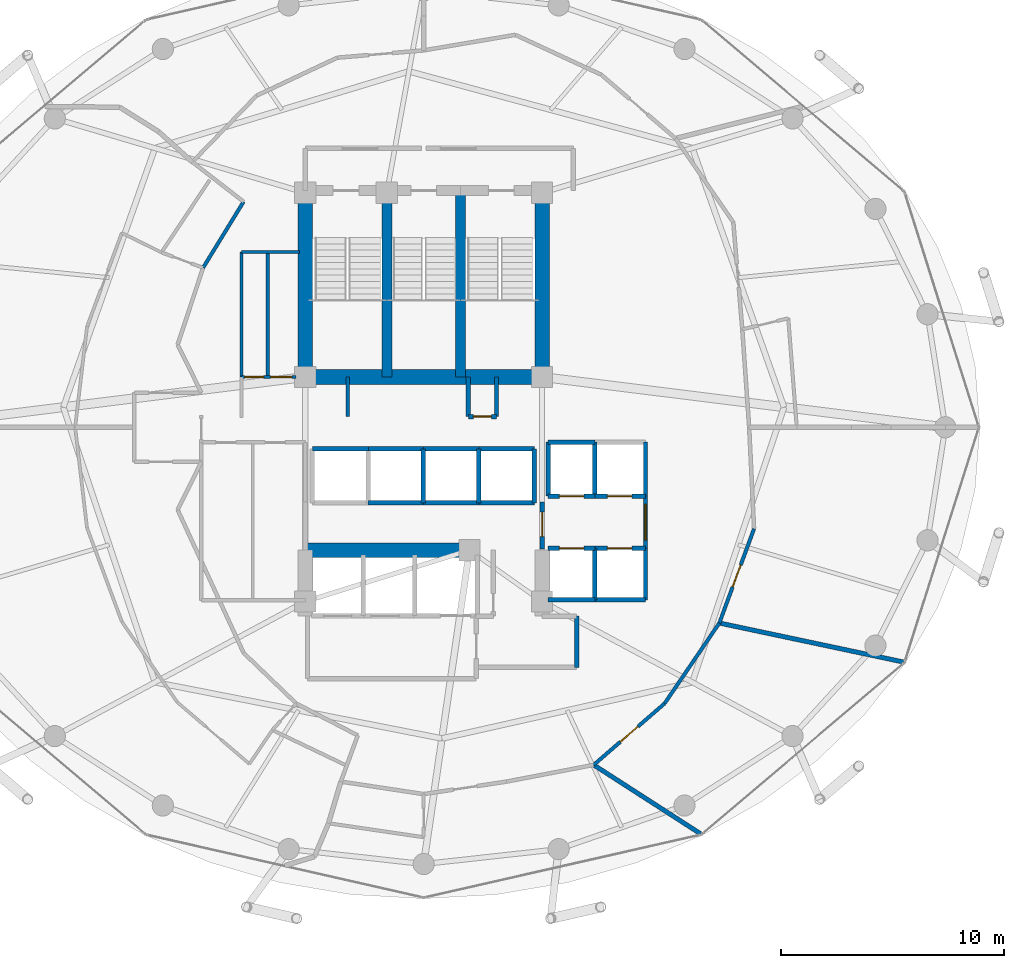
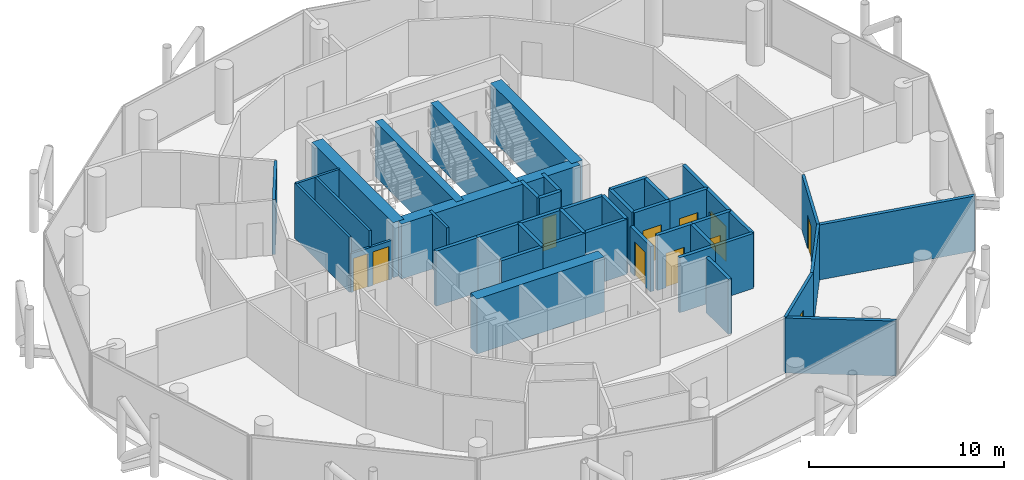
# One storey, part 23 of 26: 45 walls, 11 doors, 11 openings.
"""IFC4 building model written with IfcOpenShell, lengths in metres."""

from ifc_helpers import new_model, si_unit, direction, frame, frame_2d, origin, place, context, subcontext, project, spatial, rectangle, extrude, material, layer, layer_set, type_object, element, fill, save


model = new_model("IFC4")

# Units and contexts
model_context = context("Model", 3, precision=1e-05, world=origin(), true_north=direction((0.0, 1.0)))
body_context = subcontext(model_context, "Body", "Model", "MODEL_VIEW")
ifc_project = project(units=[si_unit("LENGTHUNIT", "METRE"), si_unit("AREAUNIT", "SQUARE_METRE"), si_unit("VOLUMEUNIT", "CUBIC_METRE"), si_unit("PLANEANGLEUNIT", "RADIAN"), si_unit("MASSUNIT", "GRAM", prefix="KILO")], contexts=[model_context])

# Site, building, storey
site_placement = place(None, origin())
site = spatial("IfcSite", under=ifc_project, at=site_placement, CompositionType="ELEMENT")
building_placement = place(site_placement, origin())
building = spatial("IfcBuilding", under=site, at=building_placement, Name="Nuhasar Tower", CompositionType="ELEMENT")
storey_placement = place(building_placement, frame((0.0, 0.0, 177.449951171875)))
storey = spatial("IfcBuildingStorey", under=building, at=storey_placement, Name="L43", CompositionType="ELEMENT", Elevation=177.449951171875)

# Walls
ifc_material_1 = material(Name="Concrete C50/60", Category="concrete")
ifc_layer_1 = layer(ifc_material_1, 0.449951171875)
ifc_layer_set_1 = layer_set([ifc_layer_1], Name="Concrete C50/60")
wall_type_1 = type_object("IfcWallType", Name="WL-CORE-450", PredefinedType="SHEAR", material=ifc_layer_set_1)
for number, where, z_axis, x_axis, name in (
    (1, (37.35009765625, 29.050048828125, 0.0), (0.0, 0.0, 1.0), (0.0, 1.0, 0.0), "L43 Stairwell Shear Wall ST01-E"),
    (2, (40.64990234375, 29.050048828125, 0.0), (0.0, 0.0, 1.0), (0.0, 1.0, 0.0), "L43 Stairwell Shear Wall ST03-E"),
):
    element("IfcWall", number, at=place(storey_placement, frame(where, z_axis=z_axis, x_axis=x_axis)), inside=storey, type_object=wall_type_1, Name=name, PredefinedType="SHEAR", context=body_context, shape_type="SweptSolid", body=[
        extrude(rectangle(XDim=8.349853515625, YDim=0.449951171875, at=frame_2d((4.1748046875, 0.0))), origin(), (0.0, 0.0, 1.0), 3.449951171875),
    ])
ifc_material_2 = material(Name="Concrete C65/80", Category="concrete")
ifc_layer_2 = layer(ifc_material_2, 0.64990234375)
ifc_layer_set_2 = layer_set([ifc_layer_2], Name="Concrete C65/80")
wall_type_2 = type_object("IfcWallType", Name="WL-CORE-650", PredefinedType="SHEAR", material=ifc_layer_set_2)
for number, where, z_axis, x_axis, name in (
    (3, (33.699951171875, 29.050048828125, 0.0), (0.0, 0.0, 1.0), (0.0, 1.0, 0.0), "L43 Core Shear Wall CW-NW CW-650"),
    (4, (44.300048828125, 29.050048828125, 0.0), (0.0, 0.0, 1.0), (0.0, 1.0, 0.0), "L43 Core Shear Wall CW-NE CW-650"),
):
    element("IfcWall", number, at=place(storey_placement, frame(where, z_axis=z_axis, x_axis=x_axis)), inside=storey, type_object=wall_type_2, Name=name, PredefinedType="SHEAR", context=body_context, shape_type="SweptSolid", body=[
        extrude(rectangle(XDim=8.349853515625, YDim=0.64990234375, at=frame_2d((4.1748046875, 0.0))), origin(), (0.0, 0.0, 1.0), 3.449951171875),
    ])
wall_1_placement = place(storey_placement, frame((33.699951171875, 29.050048828125, 0.0), z_axis=(0.0, 0.0, 1.0), x_axis=(1.0, 0.0, 0.0)))
element("IfcWall", 5, at=wall_1_placement, inside=storey, type_object=wall_type_2, Name="L43 Core Shear Wall CW-N1 CW-650", PredefinedType="SHEAR", context=body_context, shape_type="SweptSolid", body=[
    extrude(rectangle(XDim=10.60009765625, YDim=0.64990234375, at=frame_2d((5.300048828125, 0.0))), origin(), (0.0, 0.0, 1.0), 3.449951171875),
])
wall_2_placement = place(storey_placement, frame((33.699951171875, 21.300048828125, 0.0), z_axis=(0.0, 0.0, 1.0), x_axis=(1.0, 0.0, 0.0)))
element("IfcWall", 6, at=wall_2_placement, inside=storey, type_object=wall_type_2, Name="L43 Core Shear Wall CW-S1 CW-650", PredefinedType="SHEAR", context=body_context, shape_type="SweptSolid", body=[
    extrude(rectangle(XDim=7.550048828125, YDim=0.64990234375, at=frame_2d((3.77490234375, 0.0))), origin(), (0.0, 0.0, 1.0), 3.449951171875),
])

# Wall, opening, door
ifc_material_3 = material(Name="Gypsum Board", Category="gypsum")
ifc_layer_3 = layer(ifc_material_3, 0.159912109375)
ifc_layer_set_3 = layer_set([ifc_layer_3], Name="Gypsum Board")
wall_type_3 = type_object("IfcWallType", Name="WL-CORR-160", PredefinedType="PARTITIONING", material=ifc_layer_set_3)
wall_3_placement = place(storey_placement, frame((49.782958984375, 14.43505859375, 0.0), z_axis=(0.0, 0.0, 1.0), x_axis=(-0.755896308725, -0.65469135511, 0.0)))
wall_3 = element("IfcWall", 7, at=wall_3_placement, inside=storey, type_object=wall_type_3, Name="L43 Interior Partition CORR-40", PredefinedType="PARTITIONING", context=body_context, shape_type="SweptSolid", body=[
    extrude(rectangle(XDim=4.197509765625, YDim=0.159912109375, at=frame_2d((2.0986328125, 0.0))), origin(), (0.0, 0.0, 1.0), 3.449951171875),
])
opening_1_placement = place(wall_3_placement, frame((1.573974609375, 0.0, 0.0)))
opening_1 = element("IfcOpeningElement", 8, at=opening_1_placement, cuts=wall_3, Name="Opening DU-01", PredefinedType="OPENING", context=body_context, shape_type="SweptSolid", body=[
    extrude(rectangle(XDim=1.050048828125, YDim=2.14990234375, at=frame_2d((0.52490234375, 1.074951171875))), frame((0.0, 0.08984375, 0.0), z_axis=(0.0, -1.0, 0.0), x_axis=(1.0, 0.0, 0.0)), (0.0, 0.0, 1.0), 0.179931640625),
])
ifc_material_4 = material(Name="Timber Oak", Category="wood")
door_type_1 = type_object("IfcDoorType", Name="DR-SUITE-FD60-1050", OperationType="NOTDEFINED", PredefinedType="DOOR", material=ifc_material_4)
door_1_placement = place(opening_1_placement, origin())
door_1 = element("IfcDoor", 9, at=door_1_placement, inside=storey, type_object=door_type_1, Name="L43 Artisan Gift Boutique Entrance Door", OperationType="SINGLE_SWING_RIGHT", OverallHeight=2.14990234375, OverallWidth=1.050048828125, PredefinedType="DOOR", context=body_context, shape_type="SweptSolid", body=[
    extrude(rectangle(XDim=1.050048828125, YDim=2.14990234375, at=frame_2d((0.52490234375, 1.074951171875))), frame((0.0, 0.02490234375, 0.0), z_axis=(0.0, -1.0, 0.0), x_axis=(1.0, 0.0, 0.0)), (0.0, 0.0, 1.0), 0.050048828125),
])
fill(opening_1, door_1)

# Wall
wall_4_placement = place(storey_placement, frame((49.782958984375, 14.43505859375, 0.0), z_axis=(0.0, 0.0, 1.0), x_axis=(0.562637868463, 0.826703471005, 0.0)))
element("IfcWall", 10, at=wall_4_placement, inside=storey, type_object=wall_type_3, Name="L43 Interior Partition CORR-42", PredefinedType="PARTITIONING", context=body_context, shape_type="SweptSolid", body=[
    extrude(rectangle(XDim=4.3583984375, YDim=0.159912109375, at=frame_2d((2.17919921875, 0.0))), origin(), (0.0, 0.0, 1.0), 3.449951171875),
])

# Wall, opening, door
wall_5_placement = place(storey_placement, frame((53.7880859375, 22.256103515625, 0.0), z_axis=(0.0, 0.0, 1.0), x_axis=(-0.345503984286, -0.938417282898, 0.0)))
wall_5 = element("IfcWall", 11, at=wall_5_placement, inside=storey, type_object=wall_type_3, Name="L43 Interior Partition CORR-44", PredefinedType="PARTITIONING", context=body_context, shape_type="SweptSolid", body=[
    extrude(rectangle(XDim=4.494873046875, YDim=0.159912109375, at=frame_2d((2.24755859375, 0.0))), origin(), (0.0, 0.0, 1.0), 3.449951171875),
])
opening_2_placement = place(wall_5_placement, frame((1.721923828125, 0.0, 0.0)))
opening_2 = element("IfcOpeningElement", 12, at=opening_2_placement, cuts=wall_5, Name="Opening DU-01", PredefinedType="OPENING", context=body_context, shape_type="SweptSolid", body=[
    extrude(rectangle(XDim=1.050048828125, YDim=2.14990234375, at=frame_2d((0.52490234375, 1.074951171875))), frame((0.0, 0.08984375, 0.0), z_axis=(0.0, -1.0, 0.0), x_axis=(1.0, 0.0, 0.0)), (0.0, 0.0, 1.0), 0.179931640625),
])
door_2_placement = place(opening_2_placement, origin())
door_2 = element("IfcDoor", 13, at=door_2_placement, inside=storey, type_object=door_type_1, Name="L43 Red Sea Pearl Showroom Entrance Door", OperationType="SINGLE_SWING_RIGHT", OverallHeight=2.14990234375, OverallWidth=1.050048828125, PredefinedType="DOOR", context=body_context, shape_type="SweptSolid", body=[
    extrude(rectangle(XDim=1.050048828125, YDim=2.14990234375, at=frame_2d((0.52490234375, 1.074951171875))), frame((0.0, 0.02490234375, 0.0), z_axis=(0.0, -1.0, 0.0), x_axis=(1.0, 0.0, 0.0)), (0.0, 0.0, 1.0), 0.050048828125),
])
fill(opening_2, door_2)

# Wall
wall_6_placement = place(storey_placement, frame((30.93896484375, 36.89697265625, 0.0), z_axis=(0.0, 0.0, 1.0), x_axis=(-0.522486120877, -0.852647789823, 0.0)))
element("IfcWall", 14, at=wall_6_placement, inside=storey, type_object=wall_type_3, Name="L43 Interior Partition HWEST-CORE-N-18", PredefinedType="PARTITIONING", context=body_context, shape_type="SweptSolid", body=[
    extrude(rectangle(XDim=3.468017578125, YDim=0.159912109375, at=frame_2d((1.73388671875, 0.0))), origin(), (0.0, 0.0, 1.0), 3.449951171875),
])

# Wall, opening, door
ifc_material_5 = material(Name="Concrete C45/55", Category="concrete")
ifc_layer_4 = layer(ifc_material_5, 0.199951171875)
ifc_layer_set_4 = layer_set([ifc_layer_4], Name="Concrete C45/55")
wall_type_4 = type_object("IfcWallType", Name="WL-LOBBY-200", PredefinedType="SOLIDWALL", material=ifc_layer_set_4)
wall_7_placement = place(storey_placement, frame((48.929931640625, 21.3798828125, 0.0), z_axis=(0.0, 0.0, 1.0), x_axis=(0.0, 1.0, 0.0)))
wall_7 = element("IfcWall", 15, at=wall_7_placement, inside=storey, type_object=wall_type_4, Name="L43 Interior Partition LLBM-E", PredefinedType="SOLIDWALL", context=body_context, shape_type="SweptSolid", body=[
    extrude(rectangle(XDim=2.340087890625, YDim=0.199951171875, at=frame_2d((1.169921875, 0.0))), origin(), (0.0, 0.0, 1.0), 3.449951171875),
])
opening_3_placement = place(wall_7_placement, frame((0.3701171875, 0.0, 0.0)))
opening_3 = element("IfcOpeningElement", 16, at=opening_3_placement, cuts=wall_7, Name="Opening DC-01", PredefinedType="OPENING", context=body_context, shape_type="SweptSolid", body=[
    extrude(rectangle(XDim=1.60009765625, YDim=2.199951171875, at=frame_2d((0.800048828125, 1.10009765625))), frame((0.0, 0.10986328125, 0.0), z_axis=(0.0, -1.0, 0.0), x_axis=(1.0, 0.0, 0.0)), (0.0, 0.0, 1.0), 0.219970703125),
])
ifc_material_6 = material(Name="Steel S355", Category="steel")
door_type_2 = type_object("IfcDoorType", Name="DR-CORR-FD60-1600", OperationType="DOUBLE_DOOR_SINGLE_SWING", PredefinedType="DOOR", material=ifc_material_6)
door_3_placement = place(opening_3_placement, origin())
door_3 = element("IfcDoor", 17, at=door_3_placement, inside=storey, type_object=door_type_2, Name="L43 Mid-Rise Lift Lobby East Entry", OperationType="DOUBLE_DOOR_SINGLE_SWING", OverallHeight=2.199951171875, OverallWidth=1.60009765625, PredefinedType="DOOR", context=body_context, shape_type="SweptSolid", body=[
    extrude(rectangle(XDim=1.60009765625, YDim=2.199951171875, at=frame_2d((0.800048828125, 1.10009765625))), frame((0.0, 0.02490234375, 0.0), z_axis=(0.0, -1.0, 0.0), x_axis=(1.0, 0.0, 0.0)), (0.0, 0.0, 1.0), 0.050048828125),
])
fill(opening_3, door_3)

wall_8_placement = place(storey_placement, frame((44.300048828125, 21.35009765625, 0.0), z_axis=(0.0, 0.0, 1.0), x_axis=(0.0, 1.0, 0.0)))
wall_8 = element("IfcWall", 18, at=wall_8_placement, inside=storey, type_object=wall_type_4, Name="L43 Interior Partition LLBH-E", PredefinedType="SOLIDWALL", context=body_context, shape_type="SweptSolid", body=[
    extrude(rectangle(XDim=2.099853515625, YDim=0.199951171875, at=frame_2d((1.0498046875, 0.0))), origin(), (0.0, 0.0, 1.0), 2.8349609375),
])
opening_4_placement = place(wall_8_placement, frame((0.550048828125, 0.0, 0.0)))
opening_4 = element("IfcOpeningElement", 19, at=opening_4_placement, cuts=wall_8, Name="Opening DS-02", PredefinedType="OPENING", context=body_context, shape_type="SweptSolid", body=[
    extrude(rectangle(XDim=1.10009765625, YDim=2.14990234375, at=frame_2d((0.550048828125, 1.074951171875))), frame((0.0, 0.10986328125, 0.0), z_axis=(0.0, -1.0, 0.0), x_axis=(1.0, 0.0, 0.0)), (0.0, 0.0, 1.0), 0.219970703125),
])
door_type_3 = type_object("IfcDoorType", Name="DR-FFL-FD120-1100", OperationType="NOTDEFINED", PredefinedType="DOOR", material=ifc_material_6)
door_4_placement = place(opening_4_placement, origin())
door_4 = element("IfcDoor", 20, at=door_4_placement, inside=storey, type_object=door_type_3, Name="L43 High-Rise Lobby East Door", OperationType="SINGLE_SWING_RIGHT", OverallHeight=2.14990234375, OverallWidth=1.10009765625, PredefinedType="DOOR", context=body_context, shape_type="SweptSolid", body=[
    extrude(rectangle(XDim=1.10009765625, YDim=2.14990234375, at=frame_2d((0.550048828125, 1.074951171875))), frame((0.0, 0.02490234375, 0.0), z_axis=(0.0, -1.0, 0.0), x_axis=(1.0, 0.0, 0.0)), (0.0, 0.0, 1.0), 0.050048828125),
])
fill(opening_4, door_4)

# Walls
wall_9_placement = place(storey_placement, frame((45.85009765625, 16.050048828125, 0.0), z_axis=(0.0, 0.0, 1.0), x_axis=(0.0, 1.0, 0.0)))
element("IfcWall", 21, at=wall_9_placement, inside=storey, type_object=wall_type_4, Name="L43 Interior Partition SVLV-E", PredefinedType="SOLIDWALL", context=body_context, shape_type="SweptSolid", body=[
    extrude(rectangle(XDim=2.300048828125, YDim=0.199951171875, at=frame_2d((1.14990234375, 0.0))), origin(), (0.0, 0.0, 1.0), 3.449951171875),
])
ifc_layer_5 = layer(ifc_material_5, 0.199951171875)
ifc_layer_set_5 = layer_set([ifc_layer_5], Name="Concrete C45/55")
wall_type_5 = type_object("IfcWallType", Name="WL-SHAFT-200", PredefinedType="SOLIDWALL", material=ifc_layer_set_5)
for number, where, z_axis, x_axis, name in (
    (22, (41.0, 27.280029296875, 0.0), (0.0, 0.0, 1.0), (0.0, 1.0, 0.0), "L43 Interior Partition RSRN-W"),
    (23, (42.260009765625, 27.280029296875, 0.0), (0.0, 0.0, 1.0), (0.0, 1.0, 0.0), "L43 Interior Partition RSRN-E"),
):
    element("IfcWall", number, at=place(storey_placement, frame(where, z_axis=z_axis, x_axis=x_axis)), inside=storey, type_object=wall_type_5, Name=name, PredefinedType="SOLIDWALL", context=body_context, shape_type="SweptSolid", body=[
        extrude(rectangle(XDim=1.77001953125, YDim=0.199951171875, at=frame_2d((0.885009765625, 0.0))), origin(), (0.0, 0.0, 1.0), 3.449951171875),
    ])

# Wall, opening, door
wall_10_placement = place(storey_placement, frame((41.0, 27.280029296875, 0.0), z_axis=(0.0, 0.0, 1.0), x_axis=(1.0, 0.0, 0.0)))
wall_10 = element("IfcWall", 24, at=wall_10_placement, inside=storey, type_object=wall_type_5, Name="L43 Interior Partition RSRN-S", PredefinedType="SOLIDWALL", context=body_context, shape_type="SweptSolid", body=[
    extrude(rectangle(XDim=1.260009765625, YDim=0.199951171875, at=frame_2d((0.6298828125, 0.0))), origin(), (0.0, 0.0, 1.0), 3.449951171875),
])
opening_5_placement = place(wall_10_placement, frame((0.22998046875, 0.0, 0.0)))
opening_5 = element("IfcOpeningElement", 25, at=opening_5_placement, cuts=wall_10, Name="Opening DM-01", PredefinedType="OPENING", context=body_context, shape_type="SweptSolid", body=[
    extrude(rectangle(XDim=0.800048828125, YDim=2.050048828125, at=frame_2d((0.39990234375, 1.02490234375))), frame((0.0, 0.10986328125, 0.0), z_axis=(0.0, -1.0, 0.0), x_axis=(1.0, 0.0, 0.0)), (0.0, 0.0, 1.0), 0.219970703125),
])
door_type_4 = type_object("IfcDoorType", Name="DR-RISER-FD60-800", OperationType="NOTDEFINED", PredefinedType="DOOR", material=ifc_material_6)
door_5_placement = place(opening_5_placement, origin())
door_5 = element("IfcDoor", 26, at=door_5_placement, inside=storey, type_object=door_type_4, Name="L43 North Smoke Riser Door", OperationType="SINGLE_SWING_RIGHT", OverallHeight=2.050048828125, OverallWidth=0.800048828125, PredefinedType="DOOR", context=body_context, shape_type="SweptSolid", body=[
    extrude(rectangle(XDim=0.800048828125, YDim=2.050048828125, at=frame_2d((0.39990234375, 1.02490234375))), frame((0.0, 0.02490234375, 0.0), z_axis=(0.0, -1.0, 0.0), x_axis=(1.0, 0.0, 0.0)), (0.0, 0.0, 1.0), 0.050048828125),
])
fill(opening_5, door_5)

wall_11_placement = place(storey_placement, frame((44.570068359375, 23.719970703125, 0.0), z_axis=(0.0, 0.0, 1.0), x_axis=(1.0, 0.0, 0.0)))
wall_11 = element("IfcWall", 27, at=wall_11_placement, inside=storey, type_object=wall_type_5, Name="L43 Interior Partition SHF-PL-M01-S", PredefinedType="SOLIDWALL", context=body_context, shape_type="SweptSolid", body=[
    extrude(rectangle(XDim=2.10986328125, YDim=0.199951171875, at=frame_2d((1.054931640625, 0.0))), origin(), (0.0, 0.0, 1.0), 3.449951171875),
])
opening_6_placement = place(wall_11_placement, frame((0.5048828125, 0.0, 0.0)))
opening_6 = element("IfcOpeningElement", 28, at=opening_6_placement, cuts=wall_11, Name="Opening LD-M01", PredefinedType="OPENING", context=body_context, shape_type="SweptSolid", body=[
    extrude(rectangle(XDim=1.10009765625, YDim=2.14990234375, at=frame_2d((0.550048828125, 1.074951171875))), frame((0.0, 0.10986328125, 0.0), z_axis=(0.0, -1.0, 0.0), x_axis=(1.0, 0.0, 0.0)), (0.0, 0.0, 1.0), 0.219970703125),
])
ifc_material_7 = material(Name="Stainless Steel 316L", Category="steel")
door_type_5 = type_object("IfcDoorType", Name="LD-PAX-1100", OperationType="DOUBLE_DOOR_SLIDING", PredefinedType="DOOR", material=ifc_material_7)
door_6_placement = place(opening_6_placement, origin())
door_6 = element("IfcDoor", 29, at=door_6_placement, inside=storey, type_object=door_type_5, Name="L43 Lift Landing Door PL-M01", OperationType="DOUBLE_DOOR_SLIDING", OverallHeight=2.14990234375, OverallWidth=1.10009765625, PredefinedType="DOOR", context=body_context, shape_type="SweptSolid", body=[
    extrude(rectangle(XDim=1.10009765625, YDim=2.14990234375, at=frame_2d((0.550048828125, 1.074951171875))), frame((0.0, 0.02490234375, 0.0), z_axis=(0.0, -1.0, 0.0), x_axis=(1.0, 0.0, 0.0)), (0.0, 0.0, 1.0), 0.050048828125),
])
fill(opening_6, door_6)

# Walls
wall_12_placement = place(storey_placement, frame((44.570068359375, 26.1298828125, 0.0), z_axis=(0.0, 0.0, 1.0), x_axis=(1.0, 0.0, 0.0)))
element("IfcWall", 30, at=wall_12_placement, inside=storey, type_object=wall_type_5, Name="L43 Interior Partition SHF-PL-M01-N", PredefinedType="SOLIDWALL", context=body_context, shape_type="SweptSolid", body=[
    extrude(rectangle(XDim=2.10986328125, YDim=0.199951171875, at=frame_2d((1.054931640625, 0.0))), origin(), (0.0, 0.0, 1.0), 3.449951171875),
])
for number, where, z_axis, x_axis, name in (
    (31, (44.570068359375, 23.719970703125, 0.0), (0.0, 0.0, 1.0), (0.0, 1.0, 0.0), "L43 Interior Partition SHF-PL-M01-W"),
    (32, (46.64990234375, 23.719970703125, 0.0), (0.0, 0.0, 1.0), (0.0, 1.0, 0.0), "L43 Interior Partition SHF-PL-M01-E"),
):
    element("IfcWall", number, at=place(storey_placement, frame(where, z_axis=z_axis, x_axis=x_axis)), inside=storey, type_object=wall_type_5, Name=name, PredefinedType="SOLIDWALL", context=body_context, shape_type="SweptSolid", body=[
        extrude(rectangle(XDim=2.409912109375, YDim=0.199951171875, at=frame_2d((1.205078125, 0.0))), origin(), (0.0, 0.0, 1.0), 3.449951171875),
    ])

# Wall, opening, door
wall_13_placement = place(storey_placement, frame((46.6201171875, 23.719970703125, 0.0), z_axis=(0.0, 0.0, 1.0), x_axis=(1.0, 0.0, 0.0)))
wall_13 = element("IfcWall", 33, at=wall_13_placement, inside=storey, type_object=wall_type_5, Name="L43 Interior Partition SHF-PL-M02-S", PredefinedType="SOLIDWALL", context=body_context, shape_type="SweptSolid", body=[
    extrude(rectangle(XDim=2.309814453125, YDim=0.199951171875, at=frame_2d((1.15478515625, 0.0))), origin(), (0.0, 0.0, 1.0), 3.449951171875),
])
opening_7_placement = place(wall_13_placement, frame((0.60498046875, 0.0, 0.0)))
opening_7 = element("IfcOpeningElement", 34, at=opening_7_placement, cuts=wall_13, Name="Opening LD-M02", PredefinedType="OPENING", context=body_context, shape_type="SweptSolid", body=[
    extrude(rectangle(XDim=1.10009765625, YDim=2.14990234375, at=frame_2d((0.550048828125, 1.074951171875))), frame((0.0, 0.10986328125, 0.0), z_axis=(0.0, -1.0, 0.0), x_axis=(1.0, 0.0, 0.0)), (0.0, 0.0, 1.0), 0.219970703125),
])
door_7_placement = place(opening_7_placement, origin())
door_7 = element("IfcDoor", 35, at=door_7_placement, inside=storey, type_object=door_type_5, Name="L43 Lift Landing Door PL-M02", OperationType="DOUBLE_DOOR_SLIDING", OverallHeight=2.14990234375, OverallWidth=1.10009765625, PredefinedType="DOOR", context=body_context, shape_type="SweptSolid", body=[
    extrude(rectangle(XDim=1.10009765625, YDim=2.14990234375, at=frame_2d((0.550048828125, 1.074951171875))), frame((0.0, 0.02490234375, 0.0), z_axis=(0.0, -1.0, 0.0), x_axis=(1.0, 0.0, 0.0)), (0.0, 0.0, 1.0), 0.050048828125),
])
fill(opening_7, door_7)

# Walls
wall_14_placement = place(storey_placement, frame((48.929931640625, 23.719970703125, 0.0), z_axis=(0.0, 0.0, 1.0), x_axis=(0.0, 1.0, 0.0)))
element("IfcWall", 36, at=wall_14_placement, inside=storey, type_object=wall_type_5, Name="L43 Interior Partition SHF-PL-M02-E", PredefinedType="SOLIDWALL", context=body_context, shape_type="SweptSolid", body=[
    extrude(rectangle(XDim=2.409912109375, YDim=0.199951171875, at=frame_2d((1.205078125, 0.0))), origin(), (0.0, 0.0, 1.0), 3.449951171875),
])
wall_15_placement = place(storey_placement, frame((44.570068359375, 19.070068359375, 0.0), z_axis=(0.0, 0.0, 1.0), x_axis=(1.0, 0.0, 0.0)))
element("IfcWall", 37, at=wall_15_placement, inside=storey, type_object=wall_type_5, Name="L43 Interior Partition SHF-PL-M03-S", PredefinedType="SOLIDWALL", context=body_context, shape_type="SweptSolid", body=[
    extrude(rectangle(XDim=2.10986328125, YDim=0.199951171875, at=frame_2d((1.054931640625, 0.0))), origin(), (0.0, 0.0, 1.0), 3.449951171875),
])

# Wall, opening, door
wall_16_placement = place(storey_placement, frame((44.570068359375, 21.3798828125, 0.0), z_axis=(0.0, 0.0, 1.0), x_axis=(1.0, 0.0, 0.0)))
wall_16 = element("IfcWall", 38, at=wall_16_placement, inside=storey, type_object=wall_type_5, Name="L43 Interior Partition SHF-PL-M03-N", PredefinedType="SOLIDWALL", context=body_context, shape_type="SweptSolid", body=[
    extrude(rectangle(XDim=2.10986328125, YDim=0.199951171875, at=frame_2d((1.054931640625, 0.0))), origin(), (0.0, 0.0, 1.0), 3.449951171875),
])
opening_8_placement = place(wall_16_placement, frame((0.5048828125, 0.0, 0.0)))
opening_8 = element("IfcOpeningElement", 39, at=opening_8_placement, cuts=wall_16, Name="Opening LD-M03", PredefinedType="OPENING", context=body_context, shape_type="SweptSolid", body=[
    extrude(rectangle(XDim=1.10009765625, YDim=2.14990234375, at=frame_2d((0.550048828125, 1.074951171875))), frame((0.0, 0.10986328125, 0.0), z_axis=(0.0, -1.0, 0.0), x_axis=(1.0, 0.0, 0.0)), (0.0, 0.0, 1.0), 0.219970703125),
])
door_8_placement = place(opening_8_placement, origin())
door_8 = element("IfcDoor", 40, at=door_8_placement, inside=storey, type_object=door_type_5, Name="L43 Lift Landing Door PL-M03", OperationType="DOUBLE_DOOR_SLIDING", OverallHeight=2.14990234375, OverallWidth=1.10009765625, PredefinedType="DOOR", context=body_context, shape_type="SweptSolid", body=[
    extrude(rectangle(XDim=1.10009765625, YDim=2.14990234375, at=frame_2d((0.550048828125, 1.074951171875))), frame((0.0, 0.02490234375, 0.0), z_axis=(0.0, -1.0, 0.0), x_axis=(1.0, 0.0, 0.0)), (0.0, 0.0, 1.0), 0.050048828125),
])
fill(opening_8, door_8)

# Walls
for number, where, z_axis, x_axis, name in (
    (41, (46.64990234375, 19.070068359375, 0.0), (0.0, 0.0, 1.0), (0.0, 1.0, 0.0), "L43 Interior Partition SHF-PL-M03-E"),
    (42, (46.6201171875, 19.070068359375, 0.0), (0.0, 0.0, 1.0), (1.0, 0.0, 0.0), "L43 Interior Partition SHF-PL-M04-S"),
):
    element("IfcWall", number, at=place(storey_placement, frame(where, z_axis=z_axis, x_axis=x_axis)), inside=storey, type_object=wall_type_5, Name=name, PredefinedType="SOLIDWALL", context=body_context, shape_type="SweptSolid", body=[
        extrude(rectangle(XDim=2.309814453125, YDim=0.199951171875, at=frame_2d((1.15478515625, 0.0))), origin(), (0.0, 0.0, 1.0), 3.449951171875),
    ])

# Wall, opening, door
wall_17_placement = place(storey_placement, frame((46.6201171875, 21.3798828125, 0.0), z_axis=(0.0, 0.0, 1.0), x_axis=(1.0, 0.0, 0.0)))
wall_17 = element("IfcWall", 43, at=wall_17_placement, inside=storey, type_object=wall_type_5, Name="L43 Interior Partition SHF-PL-M04-N", PredefinedType="SOLIDWALL", context=body_context, shape_type="SweptSolid", body=[
    extrude(rectangle(XDim=2.309814453125, YDim=0.199951171875, at=frame_2d((1.15478515625, 0.0))), origin(), (0.0, 0.0, 1.0), 3.449951171875),
])
opening_9_placement = place(wall_17_placement, frame((0.60498046875, 0.0, 0.0)))
opening_9 = element("IfcOpeningElement", 44, at=opening_9_placement, cuts=wall_17, Name="Opening LD-M04", PredefinedType="OPENING", context=body_context, shape_type="SweptSolid", body=[
    extrude(rectangle(XDim=1.10009765625, YDim=2.14990234375, at=frame_2d((0.550048828125, 1.074951171875))), frame((0.0, 0.10986328125, 0.0), z_axis=(0.0, -1.0, 0.0), x_axis=(1.0, 0.0, 0.0)), (0.0, 0.0, 1.0), 0.219970703125),
])
door_9_placement = place(opening_9_placement, origin())
door_9 = element("IfcDoor", 45, at=door_9_placement, inside=storey, type_object=door_type_5, Name="L43 Lift Landing Door PL-M04", OperationType="DOUBLE_DOOR_SLIDING", OverallHeight=2.14990234375, OverallWidth=1.10009765625, PredefinedType="DOOR", context=body_context, shape_type="SweptSolid", body=[
    extrude(rectangle(XDim=1.10009765625, YDim=2.14990234375, at=frame_2d((0.550048828125, 1.074951171875))), frame((0.0, 0.02490234375, 0.0), z_axis=(0.0, -1.0, 0.0), x_axis=(1.0, 0.0, 0.0)), (0.0, 0.0, 1.0), 0.050048828125),
])
fill(opening_9, door_9)

# Walls
wall_18_placement = place(storey_placement, frame((48.929931640625, 19.070068359375, 0.0), z_axis=(0.0, 0.0, 1.0), x_axis=(0.0, 1.0, 0.0)))
element("IfcWall", 46, at=wall_18_placement, inside=storey, type_object=wall_type_5, Name="L43 Interior Partition SHF-PL-M04-E", PredefinedType="SOLIDWALL", context=body_context, shape_type="SweptSolid", body=[
    extrude(rectangle(XDim=2.309814453125, YDim=0.199951171875, at=frame_2d((1.15478515625, 0.0))), origin(), (0.0, 0.0, 1.0), 3.449951171875),
])
for number, where, z_axis, x_axis, name in (
    (47, (34.02001953125, 25.830078125, 0.0), (0.0, 0.0, 1.0), (1.0, 0.0, 0.0), "L43 Interior Partition SHF-PL-H01-N"),
    (48, (36.5, 23.419921875, 0.0), (0.0, 0.0, 1.0), (1.0, 0.0, 0.0), "L43 Interior Partition SHF-PL-H02-S"),
    (49, (36.5, 25.830078125, 0.0), (0.0, 0.0, 1.0), (1.0, 0.0, 0.0), "L43 Interior Partition SHF-PL-H02-N"),
):
    element("IfcWall", number, at=place(storey_placement, frame(where, z_axis=z_axis, x_axis=x_axis)), inside=storey, type_object=wall_type_5, Name=name, PredefinedType="SOLIDWALL", context=body_context, shape_type="SweptSolid", body=[
        extrude(rectangle(XDim=2.5, YDim=0.199951171875, at=frame_2d((1.25, 0.0))), origin(), (0.0, 0.0, 1.0), 3.449951171875),
    ])
wall_19_placement = place(storey_placement, frame((38.989990234375, 23.419921875, 0.0), z_axis=(0.0, 0.0, 1.0), x_axis=(0.0, 1.0, 0.0)))
element("IfcWall", 50, at=wall_19_placement, inside=storey, type_object=wall_type_5, Name="L43 Interior Partition SHF-PL-H02-E", PredefinedType="SOLIDWALL", context=body_context, shape_type="SweptSolid", body=[
    extrude(rectangle(XDim=2.41015625, YDim=0.199951171875, at=frame_2d((1.205078125, 0.0))), origin(), (0.0, 0.0, 1.0), 3.449951171875),
])
for number, where, z_axis, x_axis, name in (
    (51, (38.97998046875, 23.419921875, 0.0), (0.0, 0.0, 1.0), (1.0, 0.0, 0.0), "L43 Interior Partition SHF-PL-H03-S"),
    (52, (38.97998046875, 25.830078125, 0.0), (0.0, 0.0, 1.0), (1.0, 0.0, 0.0), "L43 Interior Partition SHF-PL-H03-N"),
):
    element("IfcWall", number, at=place(storey_placement, frame(where, z_axis=z_axis, x_axis=x_axis)), inside=storey, type_object=wall_type_5, Name=name, PredefinedType="SOLIDWALL", context=body_context, shape_type="SweptSolid", body=[
        extrude(rectangle(XDim=2.5, YDim=0.199951171875, at=frame_2d((1.25, 0.0))), origin(), (0.0, 0.0, 1.0), 3.449951171875),
    ])
wall_20_placement = place(storey_placement, frame((41.469970703125, 23.419921875, 0.0), z_axis=(0.0, 0.0, 1.0), x_axis=(0.0, 1.0, 0.0)))
element("IfcWall", 53, at=wall_20_placement, inside=storey, type_object=wall_type_5, Name="L43 Interior Partition SHF-PL-H03-E", PredefinedType="SOLIDWALL", context=body_context, shape_type="SweptSolid", body=[
    extrude(rectangle(XDim=2.41015625, YDim=0.199951171875, at=frame_2d((1.205078125, 0.0))), origin(), (0.0, 0.0, 1.0), 3.449951171875),
])
for number, where, z_axis, x_axis, name in (
    (54, (41.4599609375, 23.419921875, 0.0), (0.0, 0.0, 1.0), (1.0, 0.0, 0.0), "L43 Interior Partition SHF-PL-H04-S"),
    (55, (41.4599609375, 25.830078125, 0.0), (0.0, 0.0, 1.0), (1.0, 0.0, 0.0), "L43 Interior Partition SHF-PL-H04-N"),
):
    element("IfcWall", number, at=place(storey_placement, frame(where, z_axis=z_axis, x_axis=x_axis)), inside=storey, type_object=wall_type_5, Name=name, PredefinedType="SOLIDWALL", context=body_context, shape_type="SweptSolid", body=[
        extrude(rectangle(XDim=2.5, YDim=0.199951171875, at=frame_2d((1.25, 0.0))), origin(), (0.0, 0.0, 1.0), 3.449951171875),
    ])
wall_21_placement = place(storey_placement, frame((43.9599609375, 23.419921875, 0.0), z_axis=(0.0, 0.0, 1.0), x_axis=(0.0, 1.0, 0.0)))
element("IfcWall", 56, at=wall_21_placement, inside=storey, type_object=wall_type_5, Name="L43 Interior Partition SHF-PL-H04-E", PredefinedType="SOLIDWALL", context=body_context, shape_type="SweptSolid", body=[
    extrude(rectangle(XDim=2.41015625, YDim=0.199951171875, at=frame_2d((1.205078125, 0.0))), origin(), (0.0, 0.0, 1.0), 3.449951171875),
])
ifc_material_8 = material(Name="Concrete C40/50 precast", Category="concrete")
ifc_layer_6 = layer(ifc_material_8, 0.199951171875)
ifc_layer_set_6 = layer_set([ifc_layer_6], Name="Concrete C40/50 precast")
wall_type_6 = type_object("IfcWallType", Name="WL-UNIT-200", PredefinedType="PARTITIONING", material=ifc_layer_set_6)
wall_22_placement = place(storey_placement, frame((46.610107421875, 11.68701171875, 0.0), z_axis=(0.0, 0.0, 1.0), x_axis=(0.840593516662, -0.541666446944, 0.0)))
element("IfcWall", 57, at=wall_22_placement, inside=storey, type_object=wall_type_6, Name="L43 Interior Partition HRAD-40", PredefinedType="PARTITIONING", context=body_context, shape_type="SweptSolid", body=[
    extrude(rectangle(XDim=5.7138671875, YDim=0.199951171875, at=frame_2d((2.85693359375, 0.0))), origin(), (0.0, 0.0, 1.0), 3.449951171875),
])
wall_23_placement = place(storey_placement, frame((52.235107421875, 18.0380859375, 0.0), z_axis=(0.0, 0.0, 1.0), x_axis=(0.978281565775, -0.207280433388, 0.0)))
element("IfcWall", 58, at=wall_23_placement, inside=storey, type_object=wall_type_6, Name="L43 Interior Partition HRAD-44", PredefinedType="PARTITIONING", context=body_context, shape_type="SweptSolid", body=[
    extrude(rectangle(XDim=8.447265625, YDim=0.199951171875, at=frame_2d((4.2236328125, 0.0))), origin(), (0.0, 0.0, 1.0), 3.449951171875),
])
ifc_layer_7 = layer(ifc_material_8, 0.139892578125)
ifc_layer_set_7 = layer_set([ifc_layer_7], Name="Concrete C40/50 precast")
wall_type_7 = type_object("IfcWallType", Name="WL-WET-140", PredefinedType="PARTITIONING", material=ifc_layer_set_7)
wall_24_placement = place(storey_placement, frame((35.60009765625, 27.280029296875, 0.0), z_axis=(0.0, 0.0, 1.0), x_axis=(0.0, 1.0, 0.0)))
element("IfcWall", 59, at=wall_24_placement, inside=storey, type_object=wall_type_7, Name="L43 Interior Partition CSVC-W", PredefinedType="PARTITIONING", context=body_context, shape_type="SweptSolid", body=[
    extrude(rectangle(XDim=1.77001953125, YDim=0.139892578125, at=frame_2d((0.885009765625, 0.0))), origin(), (0.0, 0.0, 1.0), 3.449951171875),
])

# Wall, openings, doors
wall_25_placement = place(storey_placement, frame((30.85009765625, 29.050048828125, 0.0), z_axis=(0.0, 0.0, 1.0), x_axis=(1.0, 0.0, 0.0)))
wall_25 = element("IfcWall", 60, at=wall_25_placement, inside=storey, type_object=wall_type_7, Name="L43 Interior Partition K2-NW-S", PredefinedType="PARTITIONING", context=body_context, shape_type="SweptSolid", body=[
    extrude(rectangle(XDim=2.429931640625, YDim=0.139892578125, at=frame_2d((1.21484375, 0.0))), origin(), (0.0, 0.0, 1.0), 2.43994140625),
])
opening_10_placement = place(wall_25_placement, frame((0.139892578125, 0.0, 0.0)))
opening_10 = element("IfcOpeningElement", 61, at=opening_10_placement, cuts=wall_25, Name="Opening DB-01", PredefinedType="OPENING", context=body_context, shape_type="SweptSolid", body=[
    extrude(rectangle(XDim=0.85009765625, YDim=2.10009765625, at=frame_2d((0.425048828125, 1.050048828125))), frame((0.0, 0.080078125, 0.0), z_axis=(0.0, -1.0, 0.0), x_axis=(1.0, 0.0, 0.0)), (0.0, 0.0, 1.0), 0.159912109375),
])
opening_11_placement = place(wall_25_placement, frame((1.300048828125, 0.0, 0.0)))
opening_11 = element("IfcOpeningElement", 62, at=opening_11_placement, cuts=wall_25, Name="Opening DA-01", PredefinedType="OPENING", context=body_context, shape_type="SweptSolid", body=[
    extrude(rectangle(XDim=0.949951171875, YDim=2.10009765625, at=frame_2d((0.47509765625, 1.050048828125))), frame((0.0, 0.080078125, 0.0), z_axis=(0.0, -1.0, 0.0), x_axis=(1.0, 0.0, 0.0)), (0.0, 0.0, 1.0), 0.159912109375),
])
door_type_6 = type_object("IfcDoorType", Name="DR-ACCWC-950", OperationType="NOTDEFINED", PredefinedType="DOOR", material=ifc_material_4)
door_10_placement = place(opening_11_placement, origin())
door_10 = element("IfcDoor", 63, at=door_10_placement, inside=storey, type_object=door_type_6, Name="L43 NW Accessible WC Door", OperationType="SINGLE_SWING_RIGHT", OverallHeight=2.10009765625, OverallWidth=0.949951171875, PredefinedType="DOOR", context=body_context, shape_type="SweptSolid", body=[
    extrude(rectangle(XDim=0.949951171875, YDim=2.10009765625, at=frame_2d((0.47509765625, 1.050048828125))), frame((0.0, 0.02490234375, 0.0), z_axis=(0.0, -1.0, 0.0), x_axis=(1.0, 0.0, 0.0)), (0.0, 0.0, 1.0), 0.050048828125),
])
fill(opening_11, door_10)
door_type_7 = type_object("IfcDoorType", Name="DR-BATH-850", OperationType="NOTDEFINED", PredefinedType="DOOR", material=ifc_material_4)
door_11_placement = place(opening_10_placement, origin())
door_11 = element("IfcDoor", 64, at=door_11_placement, inside=storey, type_object=door_type_7, Name="L43 NW Female WC Door", OperationType="SINGLE_SWING_LEFT", OverallHeight=2.10009765625, OverallWidth=0.85009765625, PredefinedType="DOOR", context=body_context, shape_type="SweptSolid", body=[
    extrude(rectangle(XDim=0.85009765625, YDim=2.10009765625, at=frame_2d((0.425048828125, 1.050048828125))), frame((0.0, 0.02490234375, 0.0), z_axis=(0.0, -1.0, 0.0), x_axis=(1.0, 0.0, 0.0)), (0.0, 0.0, 1.0), 0.050048828125),
])
fill(opening_10, door_11)

# Walls
wall_26_placement = place(storey_placement, frame((32.02001953125, 29.050048828125, 0.0), z_axis=(0.0, 0.0, 1.0), x_axis=(0.0, 1.0, 0.0)))
element("IfcWall", 65, at=wall_26_placement, inside=storey, type_object=wall_type_7, Name="L43 Interior Partition K2-NW-V", PredefinedType="PARTITIONING", context=body_context, shape_type="SweptSolid", body=[
    extrude(rectangle(XDim=5.599853515625, YDim=0.139892578125, at=frame_2d((2.7998046875, 0.0))), origin(), (0.0, 0.0, 1.0), 3.449951171875),
])
wall_27_placement = place(storey_placement, frame((30.85009765625, 34.64990234375, 0.0), z_axis=(0.0, 0.0, 1.0), x_axis=(1.0, 0.0, 0.0)))
element("IfcWall", 66, at=wall_27_placement, inside=storey, type_object=wall_type_7, Name="L43 Interior Partition K2-NW-N", PredefinedType="PARTITIONING", context=body_context, shape_type="SweptSolid", body=[
    extrude(rectangle(XDim=2.599853515625, YDim=0.139892578125, at=frame_2d((1.2998046875, 0.0))), origin(), (0.0, 0.0, 1.0), 3.449951171875),
])
wall_28_placement = place(storey_placement, frame((30.85009765625, 29.050048828125, 0.0), z_axis=(0.0, 0.0, 1.0), x_axis=(0.0, 1.0, 0.0)))
element("IfcWall", 67, at=wall_28_placement, inside=storey, type_object=wall_type_7, Name="L43 Interior Partition K2-NW-W", PredefinedType="PARTITIONING", context=body_context, shape_type="SweptSolid", body=[
    extrude(rectangle(XDim=5.599853515625, YDim=0.139892578125, at=frame_2d((2.7998046875, 0.0))), origin(), (0.0, 0.0, 1.0), 3.449951171875),
])

save(model, "model.ifc")
